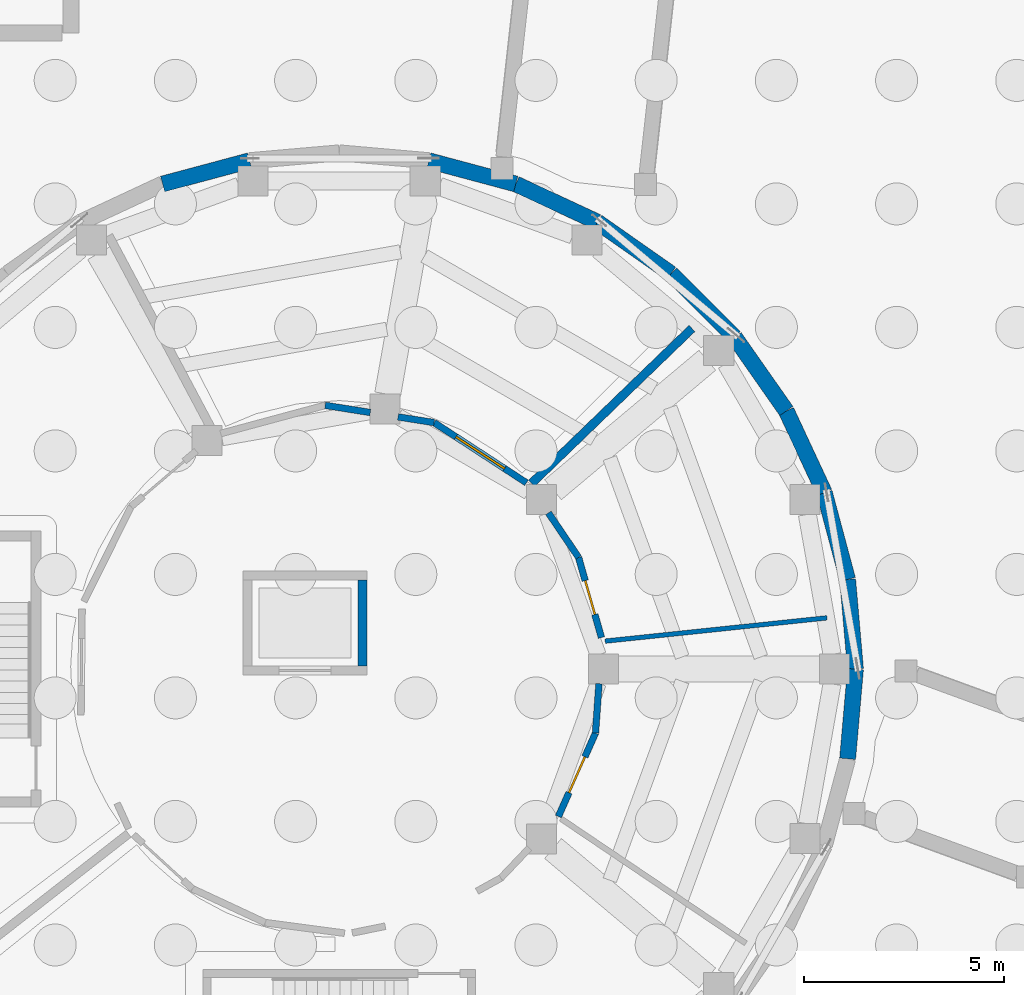
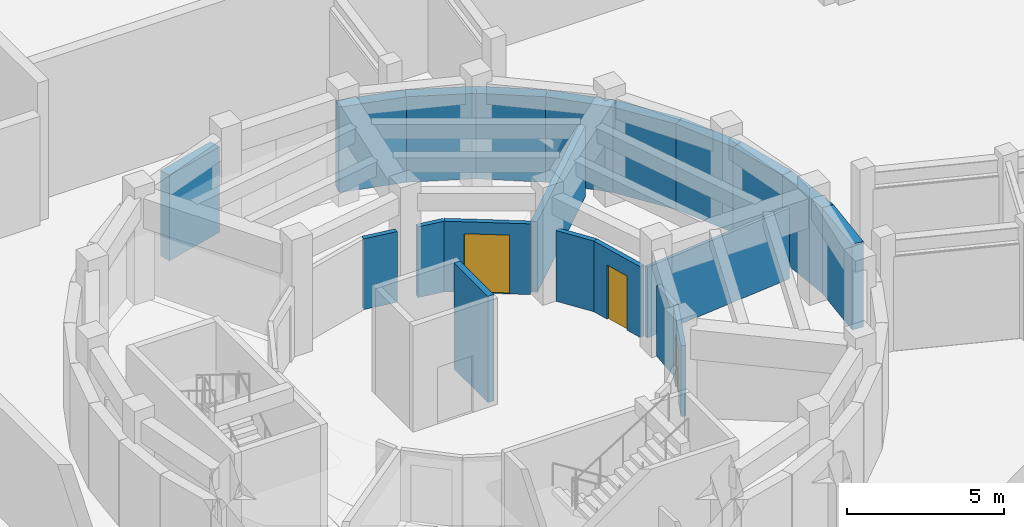
# One storey, part 36 of 57: 20 walls, 3 doors, 3 openings.
"""IFC4 building model written with IfcOpenShell, lengths in metres."""

from ifc_helpers import new_model, si_unit, direction, frame, frame_2d, origin, place, context, subcontext, project, spatial, rectangle, extrude, material, layer, layer_set, type_object, element, fill, save


model = new_model("IFC4")

# Units and contexts
model_context = context("Model", 3, precision=1e-05, world=origin(), true_north=direction((0.0, 1.0)))
body_context = subcontext(model_context, "Body", "Model", "MODEL_VIEW")
ifc_project = project(units=[si_unit("LENGTHUNIT", "METRE"), si_unit("AREAUNIT", "SQUARE_METRE"), si_unit("VOLUMEUNIT", "CUBIC_METRE"), si_unit("PLANEANGLEUNIT", "RADIAN"), si_unit("MASSUNIT", "GRAM", prefix="KILO")], contexts=[model_context])

# Site, building, storey
site_placement = place(None, origin())
site = spatial("IfcSite", under=ifc_project, at=site_placement, CompositionType="ELEMENT")
building_placement = place(site_placement, origin())
building = spatial("IfcBuilding", under=site, at=building_placement, Name="Aldenvaro Health Centre", CompositionType="ELEMENT")
storey_placement = place(building_placement, frame((0.0, 0.0, -4.550048828125)))
storey = spatial("IfcBuildingStorey", under=building, at=storey_placement, Name="B1", CompositionType="ELEMENT", Elevation=-4.550048828125)

# Wall, opening, door
ifc_material_1 = material(Name="Gypsum Stud Acoustic Assembly")
ifc_layer_1 = layer(ifc_material_1, 0.1650390625, Name="Gypsum Stud Acoustic Assembly")
ifc_layer_set_1 = layer_set([ifc_layer_1], Name="Gypsum Stud Acoustic Assembly")
wall_type_1 = type_object("IfcWallType", Name="WL-COR-165", PredefinedType="PARTITIONING", material=ifc_layer_set_1)
wall_1_placement = place(storey_placement, frame((23.178955078125, 23.155029296875, 0.0), z_axis=(0.0, 0.0, 1.0), x_axis=(-0.837651139902, 0.546205609474, 0.0)))
wall_1 = element("IfcWall", 1, at=wall_1_placement, inside=storey, type_object=wall_type_1, Name="D5 B1 corridor wall 01.1", PredefinedType="PARTITIONING", context=body_context, shape_type="SweptSolid", body=[
    extrude(rectangle(XDim=2.755126953125, YDim=0.1650390625, at=frame_2d((1.37744140625, 0.0))), origin(), (0.0, 0.0, 1.0), 2.7431640625),
])
opening_1_placement = place(wall_1_placement, frame((0.653076171875, 0.0, 0.0)))
opening_1 = element("IfcOpeningElement", 2, at=opening_1_placement, cuts=wall_1, Name="Opening XD-01", PredefinedType="OPENING", context=body_context, shape_type="SweptSolid", body=[
    extrude(rectangle(XDim=1.449951171875, YDim=2.280029296875, at=frame_2d((0.72509765625, 1.14013671875))), frame((0.0, 0.092529296875, 0.0), z_axis=(0.0, -1.0, 0.0), x_axis=(1.0, 0.0, 0.0)), (0.0, 0.0, 1.0), 0.18505859375),
])
ifc_material_2 = material(Name="Lead-Lined Shielded Imaging Door")
door_type_1 = type_object("IfcDoorType", Name="DR-IMG-145", OperationType="NOTDEFINED", PredefinedType="DOOR", material=ifc_material_2)
door_1_placement = place(opening_1_placement, origin())
door_1 = element("IfcDoor", 3, at=door_1_placement, inside=storey, type_object=door_type_1, Name="3T MRI Magnet Shielded Room Door", OperationType="SINGLE_SWING_LEFT", OverallHeight=2.280029296875, OverallWidth=1.449951171875, PredefinedType="DOOR", context=body_context, shape_type="SweptSolid", body=[
    extrude(rectangle(XDim=1.449951171875, YDim=2.280029296875, at=frame_2d((0.72509765625, 1.14013671875))), frame((0.0, 0.02490234375, 0.0), z_axis=(0.0, -1.0, 0.0), x_axis=(1.0, 0.0, 0.0)), (0.0, 0.0, 1.0), 0.050048828125),
])
fill(opening_1, door_1)

# Walls
wall_2_placement = place(storey_placement, frame((20.87109375, 24.659912109375, 0.0), z_axis=(0.0, 0.0, 1.0), x_axis=(-0.987795492529, 0.155756428245, 0.0)))
element("IfcWall", 4, at=wall_2_placement, inside=storey, type_object=wall_type_1, Name="D5 B1 corridor wall 01.2", PredefinedType="PARTITIONING", context=body_context, shape_type="SweptSolid", body=[
    extrude(rectangle(XDim=0.912353515625, YDim=0.1650390625, at=frame_2d((0.4560546875, 0.0))), origin(), (0.0, 0.0, 1.0), 2.7431640625),
])
wall_3_placement = place(storey_placement, frame((19.277099609375, 24.912109375, 0.0), z_axis=(0.0, 0.0, 1.0), x_axis=(-0.987651806417, 0.156664958689, 0.0)))
element("IfcWall", 5, at=wall_3_placement, inside=storey, type_object=wall_type_1, Name="D5 B1 corridor wall 01.3", PredefinedType="PARTITIONING", context=body_context, shape_type="SweptSolid", body=[
    extrude(rectangle(XDim=1.142333984375, YDim=0.1650390625, at=frame_2d((0.5712890625, 0.0))), origin(), (0.0, 0.0, 1.0), 2.7431640625),
])

# Wall, opening, door
wall_4_placement = place(storey_placement, frame((23.97705078125, 14.81689453125, 0.0), z_axis=(0.0, 0.0, 1.0), x_axis=(0.406069005955, 0.913842416614, 0.0)))
wall_4 = element("IfcWall", 6, at=wall_4_placement, inside=storey, type_object=wall_type_1, Name="D5 B1 corridor wall 06.1", PredefinedType="PARTITIONING", context=body_context, shape_type="SweptSolid", body=[
    extrude(rectangle(XDim=2.282958984375, YDim=0.1650390625, at=frame_2d((1.1416015625, 0.0))), origin(), (0.0, 0.0, 1.0), 2.7431640625),
])
opening_2_placement = place(wall_4_placement, frame((0.652099609375, 0.0, 0.0)))
opening_2 = element("IfcOpeningElement", 7, at=opening_2_placement, cuts=wall_4, Name="Opening WD-03", PredefinedType="OPENING", context=body_context, shape_type="SweptSolid", body=[
    extrude(rectangle(XDim=0.97998046875, YDim=2.10009765625, at=frame_2d((0.489990234375, 1.050048828125))), frame((0.0, 0.092529296875, 0.0), z_axis=(0.0, -1.0, 0.0), x_axis=(1.0, 0.0, 0.0)), (0.0, 0.0, 1.0), 0.18505859375),
])
ifc_material_3 = material(Name="Bariatric Accessible Sanitary Door")
door_type_2 = type_object("IfcDoorType", Name="DR-WC-03", OperationType="NOTDEFINED", PredefinedType="DOOR", material=ifc_material_3)
door_2_placement = place(opening_2_placement, origin())
door_2 = element("IfcDoor", 8, at=door_2_placement, inside=storey, type_object=door_type_2, Name="Gowned Patient Accessible WC Door", OperationType="SINGLE_SWING_LEFT", OverallHeight=2.10009765625, OverallWidth=0.97998046875, PredefinedType="DOOR", context=body_context, shape_type="SweptSolid", body=[
    extrude(rectangle(XDim=0.97998046875, YDim=2.10009765625, at=frame_2d((0.489990234375, 1.050048828125))), frame((0.0, 0.02490234375, 0.0), z_axis=(0.0, -1.0, 0.0), x_axis=(1.0, 0.0, 0.0)), (0.0, 0.0, 1.0), 0.050048828125),
])
fill(opening_2, door_2)

# Wall
wall_5_placement = place(storey_placement, frame((24.904052734375, 16.903076171875, 0.0), z_axis=(0.0, 0.0, 1.0), x_axis=(0.070320535272, 0.997524446978, 0.0)))
element("IfcWall", 9, at=wall_5_placement, inside=storey, type_object=wall_type_1, Name="D5 B1 corridor wall 06.2", PredefinedType="PARTITIONING", context=body_context, shape_type="SweptSolid", body=[
    extrude(rectangle(XDim=1.236083984375, YDim=0.1650390625, at=frame_2d((0.6181640625, 0.0))), origin(), (0.0, 0.0, 1.0), 2.7431640625),
])

# Wall, opening, door
wall_6_placement = place(storey_placement, frame((25.052978515625, 19.287109375, 0.0), z_axis=(0.0, 0.0, 1.0), x_axis=(-0.274302899907, 0.961643342983, 0.0)))
wall_6 = element("IfcWall", 10, at=wall_6_placement, inside=storey, type_object=wall_type_1, Name="D5 B1 corridor wall 07.1", PredefinedType="PARTITIONING", context=body_context, shape_type="SweptSolid", body=[
    extrude(rectangle(XDim=2.081787109375, YDim=0.1650390625, at=frame_2d((1.041015625, 0.0))), origin(), (0.0, 0.0, 1.0), 2.7431640625),
])
opening_3_placement = place(wall_6_placement, frame((0.60107421875, 0.0, 0.0)))
opening_3 = element("IfcOpeningElement", 11, at=opening_3_placement, cuts=wall_6, Name="Opening UD-01", PredefinedType="OPENING", context=body_context, shape_type="SweptSolid", body=[
    extrude(rectangle(XDim=0.8798828125, YDim=2.10009765625, at=frame_2d((0.43994140625, 1.050048828125))), frame((0.0, 0.092529296875, 0.0), z_axis=(0.0, -1.0, 0.0), x_axis=(1.0, 0.0, 0.0)), (0.0, 0.0, 1.0), 0.18505859375),
])
ifc_material_4 = material(Name="Clean Supply Store Door")
door_type_3 = type_object("IfcDoorType", Name="DR-STR-01", OperationType="NOTDEFINED", PredefinedType="DOOR", material=ifc_material_4)
door_3_placement = place(opening_3_placement, origin())
door_3 = element("IfcDoor", 12, at=door_3_placement, inside=storey, type_object=door_type_3, Name="Contrast Media Store Door", OperationType="SINGLE_SWING_RIGHT", OverallHeight=2.10009765625, OverallWidth=0.8798828125, PredefinedType="DOOR", context=body_context, shape_type="SweptSolid", body=[
    extrude(rectangle(XDim=0.8798828125, YDim=2.10009765625, at=frame_2d((0.43994140625, 1.050048828125))), frame((0.0, 0.02490234375, 0.0), z_axis=(0.0, -1.0, 0.0), x_axis=(1.0, 0.0, 0.0)), (0.0, 0.0, 1.0), 0.050048828125),
])
fill(opening_3, door_3)

# Walls
wall_7_placement = place(storey_placement, frame((24.48193359375, 21.2890625, 0.0), z_axis=(0.0, 0.0, 1.0), x_axis=(-0.560466835651, 0.828176868872, 0.0)))
element("IfcWall", 13, at=wall_7_placement, inside=storey, type_object=wall_type_1, Name="D5 B1 corridor wall 07.2", PredefinedType="PARTITIONING", context=body_context, shape_type="SweptSolid", body=[
    extrude(rectangle(XDim=1.34521484375, YDim=0.1650390625, at=frame_2d((0.672607421875, 0.0))), origin(), (0.0, 0.0, 1.0), 2.7431640625),
])
ifc_material_5 = material(Name="Concrete f'c 35 MPa", Category="concrete")
ifc_layer_2 = layer(ifc_material_5, 0.215087890625, Name="Concrete f'c 35 MPa", Category="concrete")
ifc_layer_set_2 = layer_set([ifc_layer_2], Name="Concrete f'c 35 MPa")
wall_type_2 = type_object("IfcWallType", Name="WL-IMG-215", PredefinedType="SOLIDWALL", material=ifc_layer_set_2)
wall_8_placement = place(storey_placement, frame((23.306884765625, 23.14208984375, 0.0), z_axis=(0.0, 0.0, 1.0), x_axis=(0.719399195437, 0.694596859772, 0.0)))
element("IfcWall", 14, at=wall_8_placement, inside=storey, type_object=wall_type_2, Name="D5 B1 clinical partition 1.1", PredefinedType="SOLIDWALL", context=body_context, shape_type="SweptSolid", body=[
    extrude(rectangle(XDim=5.5712890625, YDim=0.215087890625, at=frame_2d((2.78564453125, 0.0))), origin(), (0.0, 0.0, 1.0), 2.7431640625),
])
ifc_material_6 = material(Name="Concrete f'c 40 MPa", Category="concrete")
ifc_layer_3 = layer(ifc_material_6, 0.39990234375, Name="Concrete f'c 40 MPa", Category="concrete")
ifc_layer_set_3 = layer_set([ifc_layer_3], Name="Concrete f'c 40 MPa")
wall_type_3 = type_object("IfcWallType", Name="WL-RET-400", PredefinedType="USERDEFINED", material=ifc_layer_set_3)
wall_9_placement = place(storey_placement, frame((31.39990234375, 18.5, 0.0), z_axis=(0.0, 0.0, 1.0), x_axis=(-0.087079400775, -0.996201374201, 0.0)))
element("IfcWall", 15, at=wall_9_placement, inside=storey, type_object=wall_type_3, Name="D5 B1 hillside retaining wall 01", ObjectType="RETAININGWALL", PredefinedType="USERDEFINED", context=body_context, shape_type="SweptSolid", body=[
    extrude(rectangle(XDim=2.24853515625, YDim=0.39990234375, at=frame_2d((1.124267578125, 0.0))), origin(), (0.0, 0.0, 1.0), 3.318115234375),
])
for number, where, z_axis, x_axis, name in (
    (16, (14.087890625, 30.6220703125, 0.0), (0.0, 0.0, 1.0), (0.96592430538, 0.258824721145, 0.0), "D5 B1 hillside retaining wall 26"),
    (17, (20.739990234375, 31.2041015625, 0.0), (0.0, 0.0, 1.0), (0.96592430538, -0.258824721145, 0.0), "D5 B1 hillside retaining wall 29"),
):
    element("IfcWall", number, at=place(storey_placement, frame(where, z_axis=z_axis, x_axis=x_axis)), inside=storey, type_object=wall_type_3, Name=name, ObjectType="RETAININGWALL", PredefinedType="USERDEFINED", context=body_context, shape_type="SweptSolid", body=[
        extrude(rectangle(XDim=2.248779296875, YDim=0.39990234375, at=frame_2d((1.12451171875, 0.0))), origin(), (0.0, 0.0, 1.0), 3.318115234375),
    ])
wall_10_placement = place(storey_placement, frame((22.912109375, 30.6220703125, 0.0), z_axis=(0.0, 0.0, 1.0), x_axis=(0.906360600886, -0.422504983593, 0.0)))
element("IfcWall", 18, at=wall_10_placement, inside=storey, type_object=wall_type_3, Name="D5 B1 hillside retaining wall 30", ObjectType="RETAININGWALL", PredefinedType="USERDEFINED", context=body_context, shape_type="SweptSolid", body=[
    extrude(rectangle(XDim=2.248291015625, YDim=0.39990234375, at=frame_2d((1.1240234375, 0.0))), origin(), (0.0, 0.0, 1.0), 3.318115234375),
])
for number, where, z_axis, x_axis, name in (
    (19, (24.949951171875, 29.672119140625, 0.0), (0.0, 0.0, 1.0), (0.819104393925, -0.573644482107, 0.0), "D5 B1 hillside retaining wall 31"),
    (20, (26.7919921875, 28.382080078125, 0.0), (0.0, 0.0, 1.0), (0.707106781187, -0.707106781187, 0.0), "D5 B1 hillside retaining wall 32"),
    (21, (28.382080078125, 26.7919921875, 0.0), (0.0, 0.0, 1.0), (0.573644482107, -0.819104393925, 0.0), "D5 B1 hillside retaining wall 33"),
):
    element("IfcWall", number, at=place(storey_placement, frame(where, z_axis=z_axis, x_axis=x_axis)), inside=storey, type_object=wall_type_3, Name=name, ObjectType="RETAININGWALL", PredefinedType="USERDEFINED", context=body_context, shape_type="SweptSolid", body=[
        extrude(rectangle(XDim=2.248779296875, YDim=0.39990234375, at=frame_2d((1.12451171875, 0.0))), origin(), (0.0, 0.0, 1.0), 3.318115234375),
    ])
wall_11_placement = place(storey_placement, frame((29.672119140625, 24.949951171875, 0.0), z_axis=(0.0, 0.0, 1.0), x_axis=(0.422504983593, -0.906360600886, 0.0)))
element("IfcWall", 22, at=wall_11_placement, inside=storey, type_object=wall_type_3, Name="D5 B1 hillside retaining wall 34", ObjectType="RETAININGWALL", PredefinedType="USERDEFINED", context=body_context, shape_type="SweptSolid", body=[
    extrude(rectangle(XDim=2.248291015625, YDim=0.39990234375, at=frame_2d((1.1240234375, 0.0))), origin(), (0.0, 0.0, 1.0), 3.318115234375),
])
wall_12_placement = place(storey_placement, frame((30.6220703125, 22.912109375, 0.0), z_axis=(0.0, 0.0, 1.0), x_axis=(0.258824721145, -0.96592430538, 0.0)))
element("IfcWall", 23, at=wall_12_placement, inside=storey, type_object=wall_type_3, Name="D5 B1 hillside retaining wall 35", ObjectType="RETAININGWALL", PredefinedType="USERDEFINED", context=body_context, shape_type="SweptSolid", body=[
    extrude(rectangle(XDim=2.248779296875, YDim=0.39990234375, at=frame_2d((1.12451171875, 0.0))), origin(), (0.0, 0.0, 1.0), 3.318115234375),
])
wall_13_placement = place(storey_placement, frame((31.2041015625, 20.739990234375, 0.0), z_axis=(0.0, 0.0, 1.0), x_axis=(0.087079400775, -0.996201374201, 0.0)))
element("IfcWall", 24, at=wall_13_placement, inside=storey, type_object=wall_type_3, Name="D5 B1 hillside retaining wall 36", ObjectType="RETAININGWALL", PredefinedType="USERDEFINED", context=body_context, shape_type="SweptSolid", body=[
    extrude(rectangle(XDim=2.24853515625, YDim=0.39990234375, at=frame_2d((1.124267578125, 0.0))), origin(), (0.0, 0.0, 1.0), 3.318115234375),
])
ifc_layer_4 = layer(ifc_material_6, 0.22509765625, Name="Concrete f'c 40 MPa", Category="concrete")
ifc_layer_set_4 = layer_set([ifc_layer_4], Name="Concrete f'c 40 MPa")
wall_type_4 = type_object("IfcWallType", Name="WL-SHAFT-225", PredefinedType="SHEAR", material=ifc_layer_set_4)
wall_14_placement = place(storey_placement, frame((19.0869140625, 18.574951171875, 0.0), z_axis=(0.0, 0.0, 1.0), x_axis=(0.0, 1.0, 0.0)))
element("IfcWall", 25, at=wall_14_placement, inside=storey, type_object=wall_type_4, Name="LF-05 B1 lift shaft side wall R", PredefinedType="SHEAR", context=body_context, shape_type="SweptSolid", body=[
    extrude(rectangle(XDim=2.150146484375, YDim=0.22509765625, at=frame_2d((1.0751953125, 0.0))), origin(), (0.0, 0.0, 1.0), 4.1181640625),
])
ifc_material_7 = material(Name="Light Gauge Steel Stud Partition", Category="steel")
ifc_layer_5 = layer(ifc_material_7, 0.114990234375, Name="Light Gauge Steel Stud Partition", Category="steel")
ifc_layer_set_5 = layer_set([ifc_layer_5], Name="Light Gauge Steel Stud Partition")
wall_type_5 = type_object("IfcWallType", Name="WL-SUB-115", PredefinedType="PARTITIONING", material=ifc_layer_set_5)
wall_15_placement = place(storey_placement, frame((25.14599609375, 19.198974609375, 0.0), z_axis=(0.0, 0.0, 1.0), x_axis=(0.994528479097, 0.10446580429, 0.0)))
element("IfcWall", 26, at=wall_15_placement, inside=storey, type_object=wall_type_5, Name="D5 B1 clinical partition 7.1", PredefinedType="PARTITIONING", context=body_context, shape_type="SweptSolid", body=[
    extrude(rectangle(XDim=5.571533203125, YDim=0.114990234375, at=frame_2d((2.78564453125, 0.0))), origin(), (0.0, 0.0, 1.0), 2.7431640625),
])

save(model, "model.ifc")
